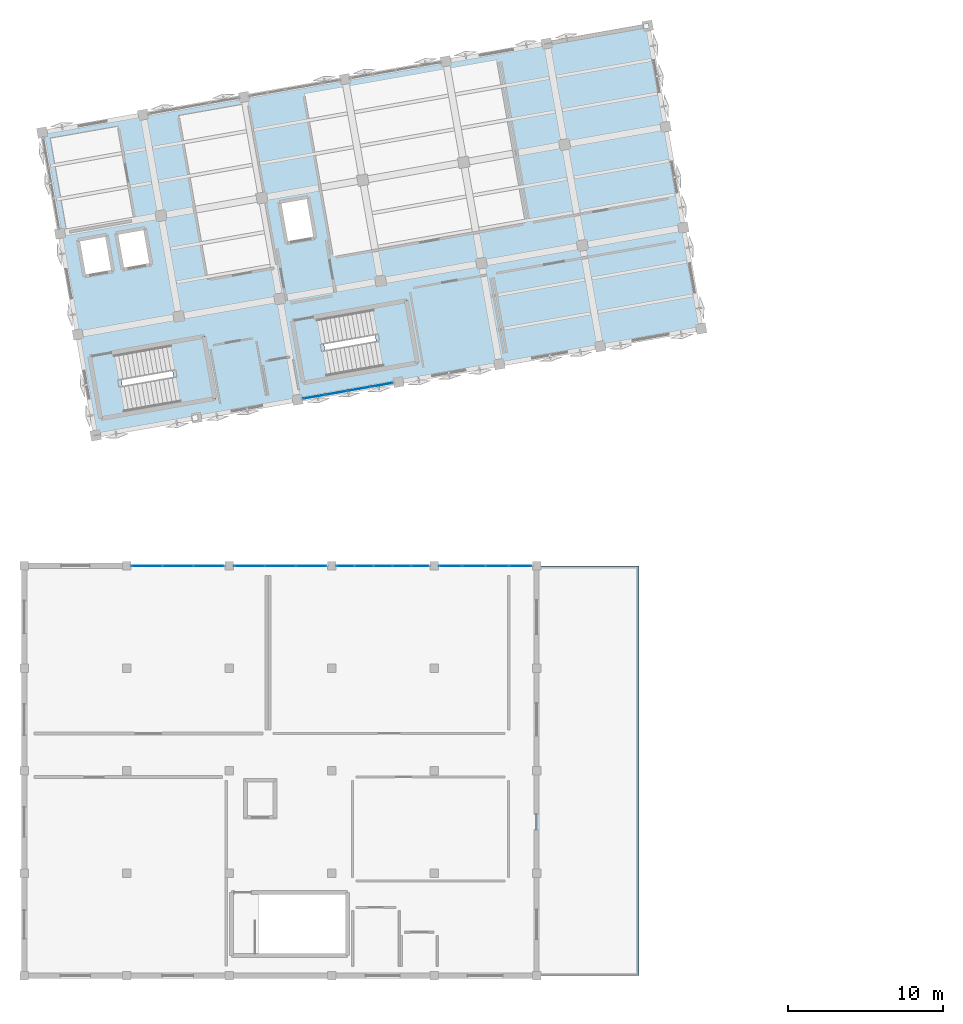
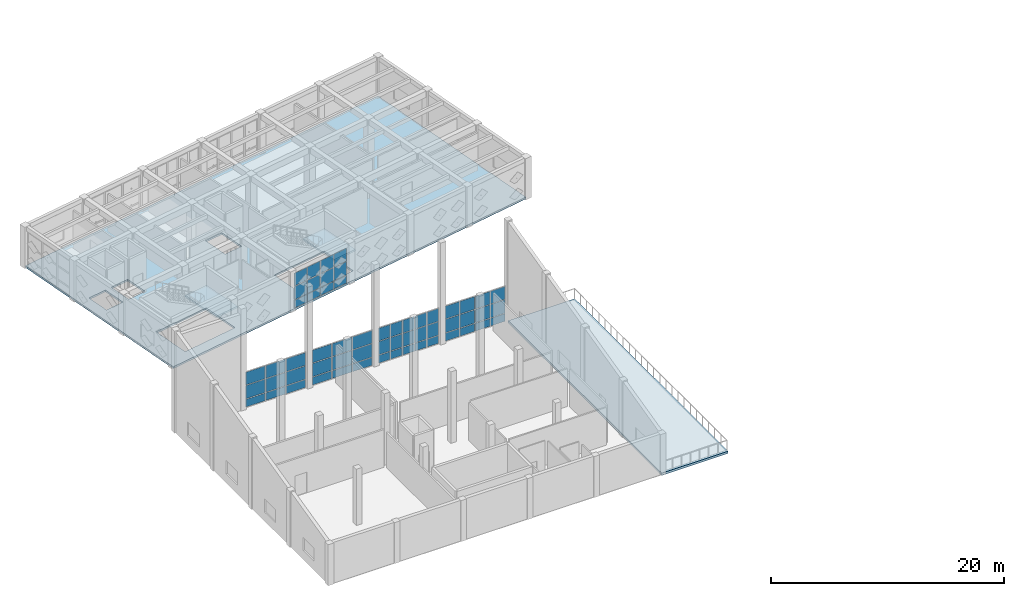
# One storey, part 20 of 39: 57 plates, 4 slabs, 7 elements without a shape of their own.
"""IFC4 building model written with IfcOpenShell, lengths in metres."""

from ifc_helpers import new_model, si_unit, direction, frame, origin, origin_2d, place, context, subcontext, project, spatial, polyline, rectangle, outline, extrude, material, layer, layer_set, type_object, element, aggregate, save


model = new_model("IFC4")

# Units and contexts
model_context = context("Model", 3, precision=1e-05, world=origin(), true_north=direction((0.0, 1.0)))
body_context = subcontext(model_context, "Body", "Model", "MODEL_VIEW")
ifc_project = project(units=[si_unit("LENGTHUNIT", "METRE"), si_unit("AREAUNIT", "SQUARE_METRE"), si_unit("VOLUMEUNIT", "CUBIC_METRE"), si_unit("PLANEANGLEUNIT", "RADIAN"), si_unit("MASSUNIT", "GRAM", prefix="KILO")], contexts=[model_context])

# Site, building, storey
site_placement = place(None, origin())
site = spatial("IfcSite", under=ifc_project, at=site_placement, CompositionType="ELEMENT")
building_placement = place(site_placement, origin())
building = spatial("IfcBuilding", under=site, at=building_placement, Name="Kharisveld Research Institute", CompositionType="ELEMENT")
storey_placement = place(building_placement, frame((0.0, 0.0, 18.60009765625)))
storey = spatial("IfcBuildingStorey", under=building, at=storey_placement, Name="L04", CompositionType="ELEMENT", Elevation=18.60009765625)

# Curtain wall, plates
ifc_material_1 = material(Name="Thermally Broken Aluminium Curtain Wall", Category="aluminium")
ifc_layer_1 = layer(ifc_material_1, 0.159912109375)
ifc_layer_set_1 = layer_set([ifc_layer_1], Name="CW_SYS_05")
curtain_wall_type_1 = type_object("IfcCurtainWallType", Name="CW_SYS_05", PredefinedType="NOTDEFINED", material=ifc_layer_set_1)
curtain_wall_1_placement = place(storey_placement, origin())
curtain_wall_1 = element("IfcCurtainWall", 1, at=curtain_wall_1_placement, inside=storey, type_object=curtain_wall_type_1, Name="CW:V3:L04:N1", PredefinedType="NOTDEFINED")
ifc_material_2 = material(Name="Low-E Double Glazing", Category="glass")
ifc_layer_2 = layer(ifc_material_2, 0.028076171875)
ifc_layer_set_2 = layer_set([ifc_layer_2], Name="CW_PNL_GLZ")
plate_type_1 = type_object("IfcPlateType", Name="CW_PNL_GLZ", PredefinedType="CURTAIN_PANEL", material=ifc_layer_set_2)
plate_1_placement = place(storey_placement, frame((8.496337890625, 26.60009765625, 0.059814453125), z_axis=(0.0, 0.0, 1.0), x_axis=(1.0, 0.0, 0.0)))
plate_1 = element("IfcPlate", 2, at=plate_1_placement, type_object=plate_type_1, Name="CW-05 panel 1.1", PredefinedType="CURTAIN_PANEL", context=body_context, shape_type="SweptSolid", body=[
    extrude(rectangle(XDim=1.922607421875, YDim=0.028076171875, at=origin_2d()), origin(), (0.0, 0.0, 1.0), 0.81005859375),
])
plate_2_placement = place(storey_placement, frame((8.496337890625, 26.60009765625, 0.93017578125), z_axis=(0.0, 0.0, 1.0), x_axis=(1.0, 0.0, 0.0)))
plate_2 = element("IfcPlate", 3, at=plate_2_placement, type_object=plate_type_1, Name="CW-05 panel 1.2", PredefinedType="CURTAIN_PANEL", context=body_context, shape_type="SweptSolid", body=[
    extrude(rectangle(XDim=1.922607421875, YDim=0.028076171875, at=origin_2d()), origin(), (0.0, 0.0, 1.0), 1.389892578125),
])
plate_3_placement = place(storey_placement, frame((8.496337890625, 26.60009765625, 2.3798828125), z_axis=(0.0, 0.0, 1.0), x_axis=(1.0, 0.0, 0.0)))
plate_3 = element("IfcPlate", 4, at=plate_3_placement, type_object=plate_type_1, Name="CW-05 panel 1.3", PredefinedType="CURTAIN_PANEL", context=body_context, shape_type="SweptSolid", body=[
    extrude(rectangle(XDim=1.922607421875, YDim=0.028076171875, at=origin_2d()), origin(), (0.0, 0.0, 1.0), 1.340087890625),
])
plate_4_placement = place(storey_placement, frame((10.5, 26.60009765625, 0.059814453125), z_axis=(0.0, 0.0, 1.0), x_axis=(1.0, 0.0, 0.0)))
plate_4 = element("IfcPlate", 5, at=plate_4_placement, type_object=plate_type_1, Name="CW-05 panel 2.1", PredefinedType="CURTAIN_PANEL", context=body_context, shape_type="SweptSolid", body=[
    extrude(rectangle(XDim=1.955078125, YDim=0.028076171875, at=origin_2d()), origin(), (0.0, 0.0, 1.0), 0.81005859375),
])
plate_5_placement = place(storey_placement, frame((10.5, 26.60009765625, 0.93017578125), z_axis=(0.0, 0.0, 1.0), x_axis=(1.0, 0.0, 0.0)))
plate_5 = element("IfcPlate", 6, at=plate_5_placement, type_object=plate_type_1, Name="CW-05 panel 2.2", PredefinedType="CURTAIN_PANEL", context=body_context, shape_type="SweptSolid", body=[
    extrude(rectangle(XDim=1.955078125, YDim=0.028076171875, at=origin_2d()), origin(), (0.0, 0.0, 1.0), 1.389892578125),
])
plate_6_placement = place(storey_placement, frame((10.5, 26.60009765625, 2.3798828125), z_axis=(0.0, 0.0, 1.0), x_axis=(1.0, 0.0, 0.0)))
plate_6 = element("IfcPlate", 7, at=plate_6_placement, type_object=plate_type_1, Name="CW-05 panel 2.3", PredefinedType="CURTAIN_PANEL", context=body_context, shape_type="SweptSolid", body=[
    extrude(rectangle(XDim=1.955078125, YDim=0.028076171875, at=origin_2d()), origin(), (0.0, 0.0, 1.0), 1.340087890625),
])
plate_7_placement = place(storey_placement, frame((12.503662109375, 26.60009765625, 0.059814453125), z_axis=(0.0, 0.0, 1.0), x_axis=(1.0, 0.0, 0.0)))
plate_7 = element("IfcPlate", 8, at=plate_7_placement, type_object=plate_type_1, Name="CW-05 panel 3.1", PredefinedType="CURTAIN_PANEL", context=body_context, shape_type="SweptSolid", body=[
    extrude(rectangle(XDim=1.922607421875, YDim=0.028076171875, at=origin_2d()), origin(), (0.0, 0.0, 1.0), 0.81005859375),
])
plate_8_placement = place(storey_placement, frame((12.503662109375, 26.60009765625, 0.93017578125), z_axis=(0.0, 0.0, 1.0), x_axis=(1.0, 0.0, 0.0)))
plate_8 = element("IfcPlate", 9, at=plate_8_placement, type_object=plate_type_1, Name="CW-05 panel 3.2", PredefinedType="CURTAIN_PANEL", context=body_context, shape_type="SweptSolid", body=[
    extrude(rectangle(XDim=1.922607421875, YDim=0.028076171875, at=origin_2d()), origin(), (0.0, 0.0, 1.0), 1.389892578125),
])
plate_9_placement = place(storey_placement, frame((12.503662109375, 26.60009765625, 2.3798828125), z_axis=(0.0, 0.0, 1.0), x_axis=(1.0, 0.0, 0.0)))
plate_9 = element("IfcPlate", 10, at=plate_9_placement, type_object=plate_type_1, Name="CW-05 panel 3.3", PredefinedType="CURTAIN_PANEL", context=body_context, shape_type="SweptSolid", body=[
    extrude(rectangle(XDim=1.922607421875, YDim=0.028076171875, at=origin_2d()), origin(), (0.0, 0.0, 1.0), 1.340087890625),
])
aggregate(curtain_wall_1, [plate_1, plate_2, plate_3, plate_4, plate_5, plate_6, plate_7, plate_8, plate_9])

ifc_material_3 = material(Name="Thermally Broken Aluminium Curtain Wall", Category="aluminium")
ifc_layer_3 = layer(ifc_material_3, 0.159912109375)
ifc_layer_set_3 = layer_set([ifc_layer_3], Name="CW_SYS_06")
curtain_wall_type_2 = type_object("IfcCurtainWallType", Name="CW_SYS_06", PredefinedType="NOTDEFINED", material=ifc_layer_set_3)
curtain_wall_2_placement = place(storey_placement, origin())
curtain_wall_2 = element("IfcCurtainWall", 11, at=curtain_wall_2_placement, inside=storey, type_object=curtain_wall_type_2, Name="CW:V3:L04:N2", PredefinedType="NOTDEFINED")
plate_10_placement = place(storey_placement, frame((15.09619140625, 26.60009765625, 0.059814453125), z_axis=(0.0, 0.0, 1.0), x_axis=(1.0, 0.0, 0.0)))
plate_10 = element("IfcPlate", 12, at=plate_10_placement, type_object=plate_type_1, Name="CW-06 panel 1.1", PredefinedType="CURTAIN_PANEL", context=body_context, shape_type="SweptSolid", body=[
    extrude(rectangle(XDim=1.922607421875, YDim=0.028076171875, at=origin_2d()), origin(), (0.0, 0.0, 1.0), 0.81005859375),
])
plate_11_placement = place(storey_placement, frame((15.09619140625, 26.60009765625, 0.93017578125), z_axis=(0.0, 0.0, 1.0), x_axis=(1.0, 0.0, 0.0)))
plate_11 = element("IfcPlate", 13, at=plate_11_placement, type_object=plate_type_1, Name="CW-06 panel 1.2", PredefinedType="CURTAIN_PANEL", context=body_context, shape_type="SweptSolid", body=[
    extrude(rectangle(XDim=1.922607421875, YDim=0.028076171875, at=origin_2d()), origin(), (0.0, 0.0, 1.0), 1.389892578125),
])
plate_12_placement = place(storey_placement, frame((15.09619140625, 26.60009765625, 2.3798828125), z_axis=(0.0, 0.0, 1.0), x_axis=(1.0, 0.0, 0.0)))
plate_12 = element("IfcPlate", 14, at=plate_12_placement, type_object=plate_type_1, Name="CW-06 panel 1.3", PredefinedType="CURTAIN_PANEL", context=body_context, shape_type="SweptSolid", body=[
    extrude(rectangle(XDim=1.922607421875, YDim=0.028076171875, at=origin_2d()), origin(), (0.0, 0.0, 1.0), 1.340087890625),
])
plate_13_placement = place(storey_placement, frame((17.10009765625, 26.60009765625, 0.059814453125), z_axis=(0.0, 0.0, 1.0), x_axis=(1.0, 0.0, 0.0)))
plate_13 = element("IfcPlate", 15, at=plate_13_placement, type_object=plate_type_1, Name="CW-06 panel 2.1", PredefinedType="CURTAIN_PANEL", context=body_context, shape_type="SweptSolid", body=[
    extrude(rectangle(XDim=1.955078125, YDim=0.028076171875, at=origin_2d()), origin(), (0.0, 0.0, 1.0), 0.81005859375),
])
plate_14_placement = place(storey_placement, frame((17.10009765625, 26.60009765625, 0.93017578125), z_axis=(0.0, 0.0, 1.0), x_axis=(1.0, 0.0, 0.0)))
plate_14 = element("IfcPlate", 16, at=plate_14_placement, type_object=plate_type_1, Name="CW-06 panel 2.2", PredefinedType="CURTAIN_PANEL", context=body_context, shape_type="SweptSolid", body=[
    extrude(rectangle(XDim=1.955078125, YDim=0.028076171875, at=origin_2d()), origin(), (0.0, 0.0, 1.0), 1.389892578125),
])
plate_15_placement = place(storey_placement, frame((17.10009765625, 26.60009765625, 2.3798828125), z_axis=(0.0, 0.0, 1.0), x_axis=(1.0, 0.0, 0.0)))
plate_15 = element("IfcPlate", 17, at=plate_15_placement, type_object=plate_type_1, Name="CW-06 panel 2.3", PredefinedType="CURTAIN_PANEL", context=body_context, shape_type="SweptSolid", body=[
    extrude(rectangle(XDim=1.955078125, YDim=0.028076171875, at=origin_2d()), origin(), (0.0, 0.0, 1.0), 1.340087890625),
])
plate_16_placement = place(storey_placement, frame((19.103759765625, 26.60009765625, 0.059814453125), z_axis=(0.0, 0.0, 1.0), x_axis=(1.0, 0.0, 0.0)))
plate_16 = element("IfcPlate", 18, at=plate_16_placement, type_object=plate_type_1, Name="CW-06 panel 3.1", PredefinedType="CURTAIN_PANEL", context=body_context, shape_type="SweptSolid", body=[
    extrude(rectangle(XDim=1.922607421875, YDim=0.028076171875, at=origin_2d()), origin(), (0.0, 0.0, 1.0), 0.81005859375),
])
plate_17_placement = place(storey_placement, frame((19.103759765625, 26.60009765625, 0.93017578125), z_axis=(0.0, 0.0, 1.0), x_axis=(1.0, 0.0, 0.0)))
plate_17 = element("IfcPlate", 19, at=plate_17_placement, type_object=plate_type_1, Name="CW-06 panel 3.2", PredefinedType="CURTAIN_PANEL", context=body_context, shape_type="SweptSolid", body=[
    extrude(rectangle(XDim=1.922607421875, YDim=0.028076171875, at=origin_2d()), origin(), (0.0, 0.0, 1.0), 1.389892578125),
])
plate_18_placement = place(storey_placement, frame((19.103759765625, 26.60009765625, 2.3798828125), z_axis=(0.0, 0.0, 1.0), x_axis=(1.0, 0.0, 0.0)))
plate_18 = element("IfcPlate", 20, at=plate_18_placement, type_object=plate_type_1, Name="CW-06 panel 3.3", PredefinedType="CURTAIN_PANEL", context=body_context, shape_type="SweptSolid", body=[
    extrude(rectangle(XDim=1.922607421875, YDim=0.028076171875, at=origin_2d()), origin(), (0.0, 0.0, 1.0), 1.340087890625),
])
aggregate(curtain_wall_2, [plate_10, plate_11, plate_12, plate_13, plate_14, plate_15, plate_16, plate_17, plate_18])

ifc_material_4 = material(Name="Thermally Broken Aluminium Curtain Wall", Category="aluminium")
ifc_layer_4 = layer(ifc_material_4, 0.159912109375)
ifc_layer_set_4 = layer_set([ifc_layer_4], Name="CW_SYS_01")
curtain_wall_type_3 = type_object("IfcCurtainWallType", Name="CW_SYS_01", PredefinedType="NOTDEFINED", material=ifc_layer_set_4)
curtain_wall_3_placement = place(storey_placement, origin())
curtain_wall_3 = element("IfcCurtainWall", 21, at=curtain_wall_3_placement, inside=storey, type_object=curtain_wall_type_3, Name="CW:V3:L04:N3", PredefinedType="NOTDEFINED")
plate_19_placement = place(storey_placement, frame((21.292236328125, 26.60009765625, 0.059814453125), z_axis=(0.0, 0.0, 1.0), x_axis=(1.0, 0.0, 0.0)))
plate_19 = element("IfcPlate", 22, at=plate_19_placement, type_object=plate_type_1, Name="CW-01 panel 1.1", PredefinedType="CURTAIN_PANEL", context=body_context, shape_type="SweptSolid", body=[
    extrude(rectangle(XDim=1.114501953125, YDim=0.028076171875, at=origin_2d()), origin(), (0.0, 0.0, 1.0), 0.81005859375),
])
plate_20_placement = place(storey_placement, frame((21.292236328125, 26.60009765625, 0.93017578125), z_axis=(0.0, 0.0, 1.0), x_axis=(1.0, 0.0, 0.0)))
plate_20 = element("IfcPlate", 23, at=plate_20_placement, type_object=plate_type_1, Name="CW-01 panel 1.2", PredefinedType="CURTAIN_PANEL", context=body_context, shape_type="SweptSolid", body=[
    extrude(rectangle(XDim=1.114501953125, YDim=0.028076171875, at=origin_2d()), origin(), (0.0, 0.0, 1.0), 1.389892578125),
])
plate_21_placement = place(storey_placement, frame((21.292236328125, 26.60009765625, 2.3798828125), z_axis=(0.0, 0.0, 1.0), x_axis=(1.0, 0.0, 0.0)))
plate_21 = element("IfcPlate", 24, at=plate_21_placement, type_object=plate_type_1, Name="CW-01 panel 1.3", PredefinedType="CURTAIN_PANEL", context=body_context, shape_type="SweptSolid", body=[
    extrude(rectangle(XDim=1.114501953125, YDim=0.028076171875, at=origin_2d()), origin(), (0.0, 0.0, 1.0), 1.340087890625),
])
plate_22_placement = place(storey_placement, frame((22.488037109375, 26.60009765625, 0.059814453125), z_axis=(0.0, 0.0, 1.0), x_axis=(1.0, 0.0, 0.0)))
plate_22 = element("IfcPlate", 25, at=plate_22_placement, type_object=plate_type_1, Name="CW-01 panel 2.1", PredefinedType="CURTAIN_PANEL", context=body_context, shape_type="SweptSolid", body=[
    extrude(rectangle(XDim=1.14697265625, YDim=0.028076171875, at=origin_2d()), origin(), (0.0, 0.0, 1.0), 0.81005859375),
])
plate_23_placement = place(storey_placement, frame((22.488037109375, 26.60009765625, 0.93017578125), z_axis=(0.0, 0.0, 1.0), x_axis=(1.0, 0.0, 0.0)))
plate_23 = element("IfcPlate", 26, at=plate_23_placement, type_object=plate_type_1, Name="CW-01 panel 2.2", PredefinedType="CURTAIN_PANEL", context=body_context, shape_type="SweptSolid", body=[
    extrude(rectangle(XDim=1.14697265625, YDim=0.028076171875, at=origin_2d()), origin(), (0.0, 0.0, 1.0), 1.389892578125),
])
plate_24_placement = place(storey_placement, frame((22.488037109375, 26.60009765625, 2.3798828125), z_axis=(0.0, 0.0, 1.0), x_axis=(1.0, 0.0, 0.0)))
plate_24 = element("IfcPlate", 27, at=plate_24_placement, type_object=plate_type_1, Name="CW-01 panel 2.3", PredefinedType="CURTAIN_PANEL", context=body_context, shape_type="SweptSolid", body=[
    extrude(rectangle(XDim=1.14697265625, YDim=0.028076171875, at=origin_2d()), origin(), (0.0, 0.0, 1.0), 1.340087890625),
])
plate_25_placement = place(storey_placement, frame((23.699951171875, 26.60009765625, 0.059814453125), z_axis=(0.0, 0.0, 1.0), x_axis=(1.0, 0.0, 0.0)))
plate_25 = element("IfcPlate", 28, at=plate_25_placement, type_object=plate_type_1, Name="CW-01 panel 3.1", PredefinedType="CURTAIN_PANEL", context=body_context, shape_type="SweptSolid", body=[
    extrude(rectangle(XDim=1.14697265625, YDim=0.028076171875, at=origin_2d()), origin(), (0.0, 0.0, 1.0), 0.81005859375),
])
plate_26_placement = place(storey_placement, frame((23.699951171875, 26.60009765625, 0.93017578125), z_axis=(0.0, 0.0, 1.0), x_axis=(1.0, 0.0, 0.0)))
plate_26 = element("IfcPlate", 29, at=plate_26_placement, type_object=plate_type_1, Name="CW-01 panel 3.2", PredefinedType="CURTAIN_PANEL", context=body_context, shape_type="SweptSolid", body=[
    extrude(rectangle(XDim=1.14697265625, YDim=0.028076171875, at=origin_2d()), origin(), (0.0, 0.0, 1.0), 1.389892578125),
])
plate_27_placement = place(storey_placement, frame((23.699951171875, 26.60009765625, 2.3798828125), z_axis=(0.0, 0.0, 1.0), x_axis=(1.0, 0.0, 0.0)))
plate_27 = element("IfcPlate", 30, at=plate_27_placement, type_object=plate_type_1, Name="CW-01 panel 3.3", PredefinedType="CURTAIN_PANEL", context=body_context, shape_type="SweptSolid", body=[
    extrude(rectangle(XDim=1.14697265625, YDim=0.028076171875, at=origin_2d()), origin(), (0.0, 0.0, 1.0), 1.340087890625),
])
plate_28_placement = place(storey_placement, frame((24.912109375, 26.60009765625, 0.059814453125), z_axis=(0.0, 0.0, 1.0), x_axis=(1.0, 0.0, 0.0)))
plate_28 = element("IfcPlate", 31, at=plate_28_placement, type_object=plate_type_1, Name="CW-01 panel 4.1", PredefinedType="CURTAIN_PANEL", context=body_context, shape_type="SweptSolid", body=[
    extrude(rectangle(XDim=1.14697265625, YDim=0.028076171875, at=origin_2d()), origin(), (0.0, 0.0, 1.0), 0.81005859375),
])
plate_29_placement = place(storey_placement, frame((24.912109375, 26.60009765625, 0.93017578125), z_axis=(0.0, 0.0, 1.0), x_axis=(1.0, 0.0, 0.0)))
plate_29 = element("IfcPlate", 32, at=plate_29_placement, type_object=plate_type_1, Name="CW-01 panel 4.2", PredefinedType="CURTAIN_PANEL", context=body_context, shape_type="SweptSolid", body=[
    extrude(rectangle(XDim=1.14697265625, YDim=0.028076171875, at=origin_2d()), origin(), (0.0, 0.0, 1.0), 1.389892578125),
])
plate_30_placement = place(storey_placement, frame((24.912109375, 26.60009765625, 2.3798828125), z_axis=(0.0, 0.0, 1.0), x_axis=(1.0, 0.0, 0.0)))
plate_30 = element("IfcPlate", 33, at=plate_30_placement, type_object=plate_type_1, Name="CW-01 panel 4.3", PredefinedType="CURTAIN_PANEL", context=body_context, shape_type="SweptSolid", body=[
    extrude(rectangle(XDim=1.14697265625, YDim=0.028076171875, at=origin_2d()), origin(), (0.0, 0.0, 1.0), 1.340087890625),
])
plate_31_placement = place(storey_placement, frame((26.107666015625, 26.60009765625, 0.059814453125), z_axis=(0.0, 0.0, 1.0), x_axis=(1.0, 0.0, 0.0)))
plate_31 = element("IfcPlate", 34, at=plate_31_placement, type_object=plate_type_1, Name="CW-01 panel 5.1", PredefinedType="CURTAIN_PANEL", context=body_context, shape_type="SweptSolid", body=[
    extrude(rectangle(XDim=1.114501953125, YDim=0.028076171875, at=origin_2d()), origin(), (0.0, 0.0, 1.0), 0.81005859375),
])
plate_32_placement = place(storey_placement, frame((26.107666015625, 26.60009765625, 0.93017578125), z_axis=(0.0, 0.0, 1.0), x_axis=(1.0, 0.0, 0.0)))
plate_32 = element("IfcPlate", 35, at=plate_32_placement, type_object=plate_type_1, Name="CW-01 panel 5.2", PredefinedType="CURTAIN_PANEL", context=body_context, shape_type="SweptSolid", body=[
    extrude(rectangle(XDim=1.114501953125, YDim=0.028076171875, at=origin_2d()), origin(), (0.0, 0.0, 1.0), 1.389892578125),
])
plate_33_placement = place(storey_placement, frame((26.107666015625, 26.60009765625, 2.3798828125), z_axis=(0.0, 0.0, 1.0), x_axis=(1.0, 0.0, 0.0)))
plate_33 = element("IfcPlate", 36, at=plate_33_placement, type_object=plate_type_1, Name="CW-01 panel 5.3", PredefinedType="CURTAIN_PANEL", context=body_context, shape_type="SweptSolid", body=[
    extrude(rectangle(XDim=1.114501953125, YDim=0.028076171875, at=origin_2d()), origin(), (0.0, 0.0, 1.0), 1.340087890625),
])
aggregate(curtain_wall_3, [plate_19, plate_20, plate_21, plate_22, plate_23, plate_24, plate_25, plate_26, plate_27, plate_28, plate_29, plate_30, plate_31, plate_32, plate_33])

ifc_material_5 = material(Name="Thermally Broken Aluminium Curtain Wall", Category="aluminium")
ifc_layer_5 = layer(ifc_material_5, 0.159912109375)
ifc_layer_set_5 = layer_set([ifc_layer_5], Name="CW_SYS_02")
curtain_wall_type_4 = type_object("IfcCurtainWallType", Name="CW_SYS_02", PredefinedType="NOTDEFINED", material=ifc_layer_set_5)
curtain_wall_4_placement = place(storey_placement, origin())
curtain_wall_4 = element("IfcCurtainWall", 37, at=curtain_wall_4_placement, inside=storey, type_object=curtain_wall_type_4, Name="CW:V3:L04:N4", PredefinedType="NOTDEFINED")
plate_34_placement = place(storey_placement, frame((28.043701171875, 26.60009765625, 0.059814453125), z_axis=(0.0, 0.0, 1.0), x_axis=(1.0, 0.0, 0.0)))
plate_34 = element("IfcPlate", 38, at=plate_34_placement, type_object=plate_type_1, Name="CW-02 panel 1.1", PredefinedType="CURTAIN_PANEL", context=body_context, shape_type="SweptSolid", body=[
    extrude(rectangle(XDim=1.41748046875, YDim=0.028076171875, at=origin_2d()), origin(), (0.0, 0.0, 1.0), 0.81005859375),
])
plate_35_placement = place(storey_placement, frame((28.043701171875, 26.60009765625, 0.93017578125), z_axis=(0.0, 0.0, 1.0), x_axis=(1.0, 0.0, 0.0)))
plate_35 = element("IfcPlate", 39, at=plate_35_placement, type_object=plate_type_1, Name="CW-02 panel 1.2", PredefinedType="CURTAIN_PANEL", context=body_context, shape_type="SweptSolid", body=[
    extrude(rectangle(XDim=1.41748046875, YDim=0.028076171875, at=origin_2d()), origin(), (0.0, 0.0, 1.0), 1.389892578125),
])
plate_36_placement = place(storey_placement, frame((28.043701171875, 26.60009765625, 2.3798828125), z_axis=(0.0, 0.0, 1.0), x_axis=(1.0, 0.0, 0.0)))
plate_36 = element("IfcPlate", 40, at=plate_36_placement, type_object=plate_type_1, Name="CW-02 panel 1.3", PredefinedType="CURTAIN_PANEL", context=body_context, shape_type="SweptSolid", body=[
    extrude(rectangle(XDim=1.41748046875, YDim=0.028076171875, at=origin_2d()), origin(), (0.0, 0.0, 1.0), 1.340087890625),
])
plate_37_placement = place(storey_placement, frame((29.54248046875, 26.60009765625, 0.059814453125), z_axis=(0.0, 0.0, 1.0), x_axis=(1.0, 0.0, 0.0)))
plate_37 = element("IfcPlate", 41, at=plate_37_placement, type_object=plate_type_1, Name="CW-02 panel 2.1", PredefinedType="CURTAIN_PANEL", context=body_context, shape_type="SweptSolid", body=[
    extrude(rectangle(XDim=1.449951171875, YDim=0.028076171875, at=origin_2d()), origin(), (0.0, 0.0, 1.0), 0.81005859375),
])
plate_38_placement = place(storey_placement, frame((29.54248046875, 26.60009765625, 0.93017578125), z_axis=(0.0, 0.0, 1.0), x_axis=(1.0, 0.0, 0.0)))
plate_38 = element("IfcPlate", 42, at=plate_38_placement, type_object=plate_type_1, Name="CW-02 panel 2.2", PredefinedType="CURTAIN_PANEL", context=body_context, shape_type="SweptSolid", body=[
    extrude(rectangle(XDim=1.449951171875, YDim=0.028076171875, at=origin_2d()), origin(), (0.0, 0.0, 1.0), 1.389892578125),
])
plate_39_placement = place(storey_placement, frame((29.54248046875, 26.60009765625, 2.3798828125), z_axis=(0.0, 0.0, 1.0), x_axis=(1.0, 0.0, 0.0)))
plate_39 = element("IfcPlate", 43, at=plate_39_placement, type_object=plate_type_1, Name="CW-02 panel 2.3", PredefinedType="CURTAIN_PANEL", context=body_context, shape_type="SweptSolid", body=[
    extrude(rectangle(XDim=1.449951171875, YDim=0.028076171875, at=origin_2d()), origin(), (0.0, 0.0, 1.0), 1.340087890625),
])
plate_40_placement = place(storey_placement, frame((31.0576171875, 26.60009765625, 0.059814453125), z_axis=(0.0, 0.0, 1.0), x_axis=(1.0, 0.0, 0.0)))
plate_40 = element("IfcPlate", 44, at=plate_40_placement, type_object=plate_type_1, Name="CW-02 panel 3.1", PredefinedType="CURTAIN_PANEL", context=body_context, shape_type="SweptSolid", body=[
    extrude(rectangle(XDim=1.449951171875, YDim=0.028076171875, at=origin_2d()), origin(), (0.0, 0.0, 1.0), 0.81005859375),
])
plate_41_placement = place(storey_placement, frame((31.0576171875, 26.60009765625, 0.93017578125), z_axis=(0.0, 0.0, 1.0), x_axis=(1.0, 0.0, 0.0)))
plate_41 = element("IfcPlate", 45, at=plate_41_placement, type_object=plate_type_1, Name="CW-02 panel 3.2", PredefinedType="CURTAIN_PANEL", context=body_context, shape_type="SweptSolid", body=[
    extrude(rectangle(XDim=1.449951171875, YDim=0.028076171875, at=origin_2d()), origin(), (0.0, 0.0, 1.0), 1.389892578125),
])
plate_42_placement = place(storey_placement, frame((31.0576171875, 26.60009765625, 2.3798828125), z_axis=(0.0, 0.0, 1.0), x_axis=(1.0, 0.0, 0.0)))
plate_42 = element("IfcPlate", 46, at=plate_42_placement, type_object=plate_type_1, Name="CW-02 panel 3.3", PredefinedType="CURTAIN_PANEL", context=body_context, shape_type="SweptSolid", body=[
    extrude(rectangle(XDim=1.449951171875, YDim=0.028076171875, at=origin_2d()), origin(), (0.0, 0.0, 1.0), 1.340087890625),
])
plate_43_placement = place(storey_placement, frame((32.55615234375, 26.60009765625, 0.059814453125), z_axis=(0.0, 0.0, 1.0), x_axis=(1.0, 0.0, 0.0)))
plate_43 = element("IfcPlate", 47, at=plate_43_placement, type_object=plate_type_1, Name="CW-02 panel 4.1", PredefinedType="CURTAIN_PANEL", context=body_context, shape_type="SweptSolid", body=[
    extrude(rectangle(XDim=1.41748046875, YDim=0.028076171875, at=origin_2d()), origin(), (0.0, 0.0, 1.0), 0.81005859375),
])
plate_44_placement = place(storey_placement, frame((32.55615234375, 26.60009765625, 0.93017578125), z_axis=(0.0, 0.0, 1.0), x_axis=(1.0, 0.0, 0.0)))
plate_44 = element("IfcPlate", 48, at=plate_44_placement, type_object=plate_type_1, Name="CW-02 panel 4.2", PredefinedType="CURTAIN_PANEL", context=body_context, shape_type="SweptSolid", body=[
    extrude(rectangle(XDim=1.41748046875, YDim=0.028076171875, at=origin_2d()), origin(), (0.0, 0.0, 1.0), 1.389892578125),
])
plate_45_placement = place(storey_placement, frame((32.55615234375, 26.60009765625, 2.3798828125), z_axis=(0.0, 0.0, 1.0), x_axis=(1.0, 0.0, 0.0)))
plate_45 = element("IfcPlate", 49, at=plate_45_placement, type_object=plate_type_1, Name="CW-02 panel 4.3", PredefinedType="CURTAIN_PANEL", context=body_context, shape_type="SweptSolid", body=[
    extrude(rectangle(XDim=1.41748046875, YDim=0.028076171875, at=origin_2d()), origin(), (0.0, 0.0, 1.0), 1.340087890625),
])
aggregate(curtain_wall_4, [plate_34, plate_35, plate_36, plate_37, plate_38, plate_39, plate_40, plate_41, plate_42, plate_43, plate_44, plate_45])

ifc_material_6 = material(Name="Thermally Broken Aluminium Curtain Wall", Category="aluminium")
ifc_layer_6 = layer(ifc_material_6, 0.159912109375)
ifc_layer_set_6 = layer_set([ifc_layer_6], Name="CW_SYS_03")
curtain_wall_type_5 = type_object("IfcCurtainWallType", Name="CW_SYS_03", PredefinedType="NOTDEFINED", material=ifc_layer_set_6)
curtain_wall_5_placement = place(storey_placement, origin())
curtain_wall_5 = element("IfcCurtainWall", 50, at=curtain_wall_5_placement, inside=storey, type_object=curtain_wall_type_5, Name="CW:V1:L04:S3", PredefinedType="NOTDEFINED")
ifc_material_7 = material(Name="Insulated Spandrel Glazing", Category="glass")
ifc_layer_7 = layer(ifc_material_7, 0.035888671875)
ifc_layer_set_7 = layer_set([ifc_layer_7], Name="CW_PNL_SPD")
plate_type_2 = type_object("IfcPlateType", Name="CW_PNL_SPD", PredefinedType="CURTAIN_PANEL", material=ifc_layer_set_7)
plate_46_placement = place(storey_placement, frame((23.633056640625, 38.26025390625, 0.06494140625), z_axis=(0.0, 0.0, 1.0), x_axis=(-0.984807737371, -0.173648266375, 0.0)))
plate_46 = element("IfcPlate", 51, at=plate_46_placement, type_object=plate_type_2, Name="CW-03 panel 1.1", PredefinedType="CURTAIN_PANEL", context=body_context, shape_type="SweptSolid", body=[
    extrude(rectangle(XDim=1.385009765625, YDim=0.035888671875, at=origin_2d()), origin(), (0.0, 0.0, 1.0), 0.802490234375),
])
plate_47_placement = place(storey_placement, frame((23.633056640625, 38.26025390625, 0.9326171875), z_axis=(0.0, 0.0, 1.0), x_axis=(-0.984807737371, -0.173648266375, 0.0)))
plate_47 = element("IfcPlate", 52, at=plate_47_placement, type_object=plate_type_2, Name="CW-03 panel 1.2", PredefinedType="CURTAIN_PANEL", context=body_context, shape_type="SweptSolid", body=[
    extrude(rectangle(XDim=1.385009765625, YDim=0.035888671875, at=origin_2d()), origin(), (0.0, 0.0, 1.0), 1.385009765625),
])
plate_48_placement = place(storey_placement, frame((23.633056640625, 38.26025390625, 2.38232421875), z_axis=(0.0, 0.0, 1.0), x_axis=(-0.984807737371, -0.173648266375, 0.0)))
plate_48 = element("IfcPlate", 53, at=plate_48_placement, type_object=plate_type_2, Name="CW-03 panel 1.3", PredefinedType="CURTAIN_PANEL", context=body_context, shape_type="SweptSolid", body=[
    extrude(rectangle(XDim=1.385009765625, YDim=0.035888671875, at=origin_2d()), origin(), (0.0, 0.0, 1.0), 1.33251953125),
])
plate_49_placement = place(storey_placement, frame((22.18310546875, 38.004638671875, 0.06494140625), z_axis=(0.0, 0.0, 1.0), x_axis=(-0.984807737371, -0.173648266375, 0.0)))
plate_49 = element("IfcPlate", 54, at=plate_49_placement, type_object=plate_type_2, Name="CW-03 panel 2.1", PredefinedType="CURTAIN_PANEL", context=body_context, shape_type="SweptSolid", body=[
    extrude(rectangle(XDim=1.419921875, YDim=0.035888671875, at=origin_2d()), origin(), (0.0, 0.0, 1.0), 0.802490234375),
])
plate_50_placement = place(storey_placement, frame((22.18310546875, 38.004638671875, 0.9326171875), z_axis=(0.0, 0.0, 1.0), x_axis=(-0.984807737371, -0.173648266375, 0.0)))
plate_50 = element("IfcPlate", 55, at=plate_50_placement, type_object=plate_type_2, Name="CW-03 panel 2.2", PredefinedType="CURTAIN_PANEL", context=body_context, shape_type="SweptSolid", body=[
    extrude(rectangle(XDim=1.419921875, YDim=0.035888671875, at=origin_2d()), origin(), (0.0, 0.0, 1.0), 1.385009765625),
])
plate_51_placement = place(storey_placement, frame((22.18310546875, 38.004638671875, 2.38232421875), z_axis=(0.0, 0.0, 1.0), x_axis=(-0.984807737371, -0.173648266375, 0.0)))
plate_51 = element("IfcPlate", 56, at=plate_51_placement, type_object=plate_type_2, Name="CW-03 panel 2.3", PredefinedType="CURTAIN_PANEL", context=body_context, shape_type="SweptSolid", body=[
    extrude(rectangle(XDim=1.419921875, YDim=0.035888671875, at=origin_2d()), origin(), (0.0, 0.0, 1.0), 1.33251953125),
])
plate_52_placement = place(storey_placement, frame((20.715576171875, 37.745849609375, 0.06494140625), z_axis=(0.0, 0.0, 1.0), x_axis=(-0.984807737371, -0.173648266375, 0.0)))
plate_52 = element("IfcPlate", 57, at=plate_52_placement, type_object=plate_type_2, Name="CW-03 panel 3.1", PredefinedType="CURTAIN_PANEL", context=body_context, shape_type="SweptSolid", body=[
    extrude(rectangle(XDim=1.419921875, YDim=0.035888671875, at=origin_2d()), origin(), (0.0, 0.0, 1.0), 0.802490234375),
])
plate_53_placement = place(storey_placement, frame((20.715576171875, 37.745849609375, 0.9326171875), z_axis=(0.0, 0.0, 1.0), x_axis=(-0.984807737371, -0.173648266375, 0.0)))
plate_53 = element("IfcPlate", 58, at=plate_53_placement, type_object=plate_type_2, Name="CW-03 panel 3.2", PredefinedType="CURTAIN_PANEL", context=body_context, shape_type="SweptSolid", body=[
    extrude(rectangle(XDim=1.419921875, YDim=0.035888671875, at=origin_2d()), origin(), (0.0, 0.0, 1.0), 1.385009765625),
])
plate_54_placement = place(storey_placement, frame((20.715576171875, 37.745849609375, 2.38232421875), z_axis=(0.0, 0.0, 1.0), x_axis=(-0.984807737371, -0.173648266375, 0.0)))
plate_54 = element("IfcPlate", 59, at=plate_54_placement, type_object=plate_type_2, Name="CW-03 panel 3.3", PredefinedType="CURTAIN_PANEL", context=body_context, shape_type="SweptSolid", body=[
    extrude(rectangle(XDim=1.419921875, YDim=0.035888671875, at=origin_2d()), origin(), (0.0, 0.0, 1.0), 1.33251953125),
])
plate_55_placement = place(storey_placement, frame((19.265625, 37.490234375, 0.06494140625), z_axis=(0.0, 0.0, 1.0), x_axis=(-0.984807737371, -0.173648266375, 0.0)))
plate_55 = element("IfcPlate", 60, at=plate_55_placement, type_object=plate_type_2, Name="CW-03 panel 4.1", PredefinedType="CURTAIN_PANEL", context=body_context, shape_type="SweptSolid", body=[
    extrude(rectangle(XDim=1.385009765625, YDim=0.035888671875, at=origin_2d()), origin(), (0.0, 0.0, 1.0), 0.802490234375),
])
plate_56_placement = place(storey_placement, frame((19.265625, 37.490234375, 0.9326171875), z_axis=(0.0, 0.0, 1.0), x_axis=(-0.984807737371, -0.173648266375, 0.0)))
plate_56 = element("IfcPlate", 61, at=plate_56_placement, type_object=plate_type_2, Name="CW-03 panel 4.2", PredefinedType="CURTAIN_PANEL", context=body_context, shape_type="SweptSolid", body=[
    extrude(rectangle(XDim=1.385009765625, YDim=0.035888671875, at=origin_2d()), origin(), (0.0, 0.0, 1.0), 1.385009765625),
])
plate_57_placement = place(storey_placement, frame((19.265625, 37.490234375, 2.38232421875), z_axis=(0.0, 0.0, 1.0), x_axis=(-0.984807737371, -0.173648266375, 0.0)))
plate_57 = element("IfcPlate", 62, at=plate_57_placement, type_object=plate_type_2, Name="CW-03 panel 4.3", PredefinedType="CURTAIN_PANEL", context=body_context, shape_type="SweptSolid", body=[
    extrude(rectangle(XDim=1.385009765625, YDim=0.035888671875, at=origin_2d()), origin(), (0.0, 0.0, 1.0), 1.33251953125),
])
aggregate(curtain_wall_5, [plate_46, plate_47, plate_48, plate_49, plate_50, plate_51, plate_52, plate_53, plate_54, plate_55, plate_56, plate_57])

# Slabs
ifc_material_8 = material(Name="Concrete C40/50", Category="concrete")
ifc_layer_8 = layer(ifc_material_8, 0.235107421875)
ifc_layer_set_8 = layer_set([ifc_layer_8], Name="SL_EXT_235")
slab_type_1 = type_object("IfcSlabType", Name="SL_EXT_235", PredefinedType="FLOOR", material=ifc_layer_set_8)
slab_1_placement = place(storey_placement, frame((0.0, 0.0, -0.235107421875)))
element("IfcSlab", 63, at=slab_1_placement, inside=storey, type_object=slab_type_1, Name="SLAB:V3:L04:TERRACE", PredefinedType="FLOOR", context=body_context, shape_type="SweptSolid", body=[
    extrude(outline(polyline([(33.60009765625, 0.199951171875), (40.199951171875, 0.199951171875), (40.199951171875, 26.60009765625), (33.60009765625, 26.60009765625), (33.60009765625, 0.199951171875)])), origin(), (0.0, 0.0, 1.0), 0.235107421875),
])
ifc_material_9 = material(Name="Concrete C40/50", Category="concrete")
ifc_layer_9 = layer(ifc_material_9, 0.18994140625)
ifc_layer_set_9 = layer_set([ifc_layer_9], Name="SL_FLR_190")
slab_type_2 = type_object("IfcSlabType", Name="SL_FLR_190", PredefinedType="FLOOR", material=ifc_layer_set_9)
slab_2_placement = place(storey_placement, frame((0.0, 0.0, -0.190185546875)))
element("IfcSlab", 64, at=slab_2_placement, inside=storey, type_object=slab_type_2, Name="SLAB:V1:L04:MAIN", PredefinedType="FLOOR", context=body_context, shape_type="SweptSolid", body=[
    extrude(outline(polyline([(5.199951171875, 35.010009765625), (44.198486328125, 41.886474609375), (40.76025390625, 61.3857421875), (1.76171875, 54.50927734375), (5.199951171875, 35.010009765625)]), holes=[polyline([(12.73974609375, 37.45654296875), (7.224853515625, 36.48388671875), (6.554443359375, 40.285400390625), (12.0693359375, 41.2578125), (12.73974609375, 37.45654296875)]), polyline([(25.788330078125, 39.75732421875), (20.2734375, 38.784912109375), (19.603271484375, 42.586181640625), (25.1181640625, 43.55859375), (25.788330078125, 39.75732421875)]), polyline([(6.29931640625, 45.591552734375), (4.487060546875, 45.272216796875), (4.080810546875, 47.57666015625), (5.892822265625, 47.89599609375), (6.29931640625, 45.591552734375)]), polyline([(6.94921875, 45.706298828125), (6.54296875, 48.0107421875), (8.35498046875, 48.330322265625), (8.76123046875, 46.025634765625), (6.94921875, 45.706298828125)]), polyline([(17.5126953125, 47.41650390625), (17.05419921875, 50.016357421875), (18.8662109375, 50.3359375), (19.32470703125, 47.736083984375), (17.5126953125, 47.41650390625)])]), origin(), (0.0, 0.0, 1.0), 0.190185546875),
])

# Stair, slab
ifc_material_10 = material(Name="Concrete C40/50", Category="concrete")
stair_type = type_object("IfcStairType", Name="ST_EXIT_170", PredefinedType="TWO_STRAIGHT_RUN_STAIR", material=ifc_material_10)
stair_1_placement = place(storey_placement, origin())
stair_1 = element("IfcStair", 65, at=stair_1_placement, inside=storey, type_object=stair_type, Name="STR:ST1:L04", PredefinedType="TWO_STRAIGHT_RUN_STAIR")
ifc_material_11 = material(Name="Concrete C40/50", Category="concrete")
ifc_layer_10 = layer(ifc_material_11, 0.179931640625)
ifc_layer_set_10 = layer_set([ifc_layer_10], Name="SL_LND_180")
slab_type_3 = type_object("IfcSlabType", Name="SL_LND_180", PredefinedType="LANDING", material=ifc_layer_set_10)
slab_3_placement = place(storey_placement, frame((0.0, 0.0, 2.06982421875)))
slab_3 = element("IfcSlab", 66, at=slab_3_placement, type_object=slab_type_3, Name="ST-01 landing 1", PredefinedType="LANDING", context=body_context, shape_type="SweptSolid", body=[
    extrude(outline(polyline([(10.54150390625, 36.936767578125), (12.909912109375, 37.3544921875), (12.194580078125, 41.411865234375), (9.826171875, 40.994140625), (10.54150390625, 36.936767578125)])), origin(), (0.0, 0.0, 1.0), 0.18017578125),
])
aggregate(stair_1, [slab_3])

stair_2_placement = place(storey_placement, origin())
stair_2 = element("IfcStair", 67, at=stair_2_placement, inside=storey, type_object=stair_type, Name="STR:ST2:L04", PredefinedType="TWO_STRAIGHT_RUN_STAIR")
slab_4_placement = place(storey_placement, frame((0.0, 0.0, 2.06982421875)))
slab_4 = element("IfcSlab", 68, at=slab_4_placement, type_object=slab_type_3, Name="ST-02 landing 1", PredefinedType="LANDING", context=body_context, shape_type="SweptSolid", body=[
    extrude(outline(polyline([(23.59033203125, 39.237548828125), (25.958740234375, 39.6552734375), (25.243408203125, 43.712646484375), (22.874755859375, 43.295166015625), (23.59033203125, 39.237548828125)])), origin(), (0.0, 0.0, 1.0), 0.18017578125),
])
aggregate(stair_2, [slab_4])

save(model, "model.ifc")
